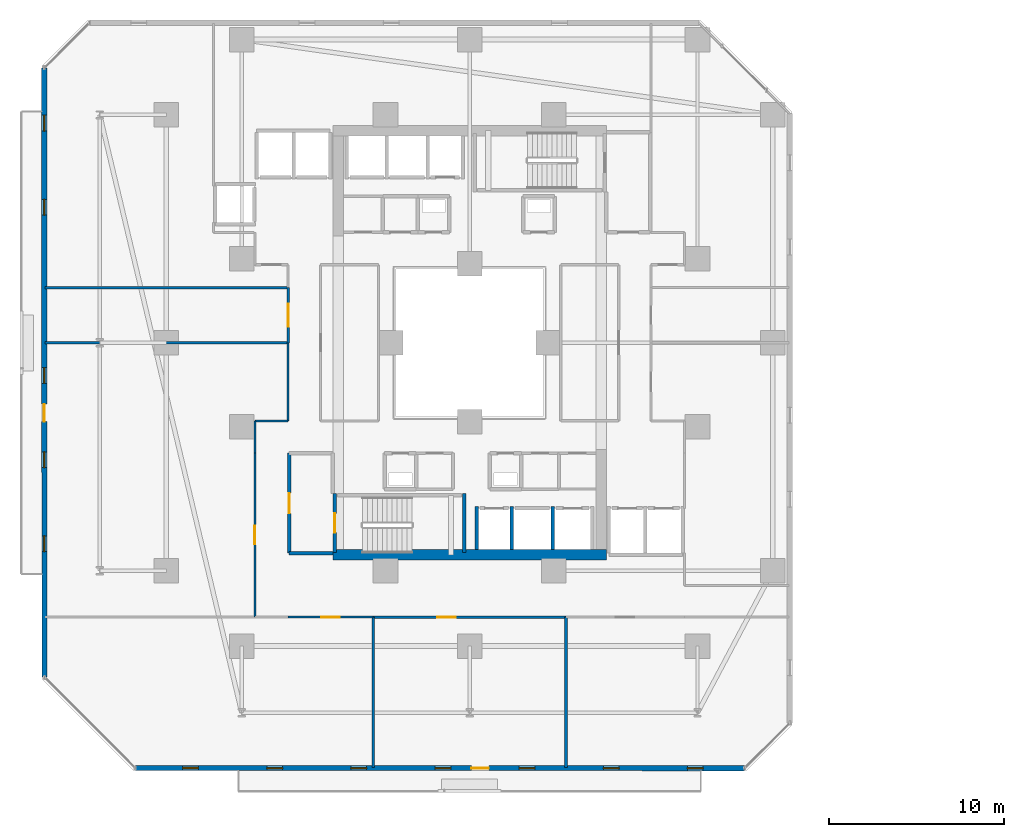
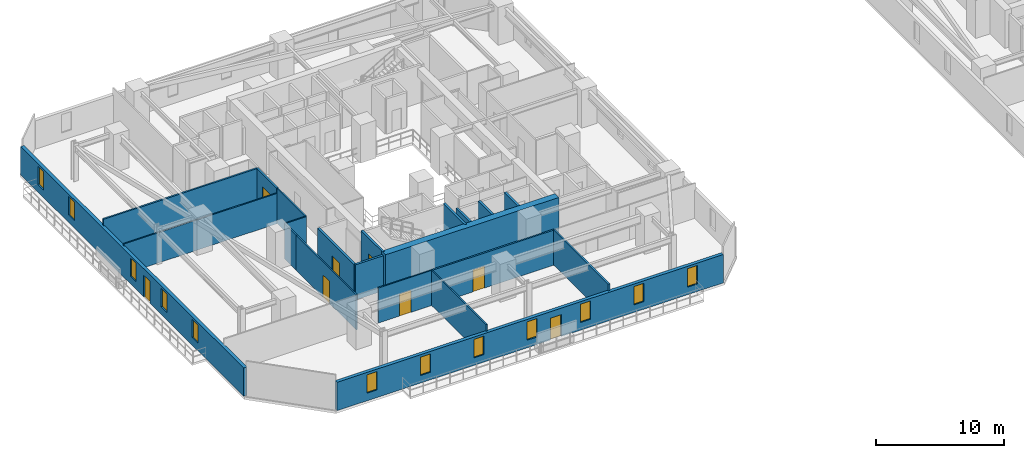
# One storey, part 18 of 33: 21 walls, 12 windows, 8 doors, 20 openings.
"""IFC4 building model written with IfcOpenShell, lengths in metres."""

from ifc_helpers import new_model, si_unit, direction, frame, frame_2d, origin, place, context, subcontext, project, spatial, rectangle, extrude, material, layer, layer_set, type_object, element, fill, save


model = new_model("IFC4")

# Units and contexts
model_context = context("Model", 3, precision=1e-05, world=origin(), true_north=direction((0.0, 1.0)))
body_context = subcontext(model_context, "Body", "Model", "MODEL_VIEW")
ifc_project = project(units=[si_unit("LENGTHUNIT", "METRE"), si_unit("AREAUNIT", "SQUARE_METRE"), si_unit("VOLUMEUNIT", "CUBIC_METRE"), si_unit("PLANEANGLEUNIT", "RADIAN"), si_unit("MASSUNIT", "GRAM", prefix="KILO")], contexts=[model_context])

# Site, building, storey
site_placement = place(None, origin())
site = spatial("IfcSite", under=ifc_project, at=site_placement, CompositionType="ELEMENT")
building_placement = place(site_placement, origin())
building = spatial("IfcBuilding", under=site, at=building_placement, Name="Thornwick Lancets Civic Towers", CompositionType="ELEMENT")
storey_placement = place(building_placement, frame((0.0, 0.0, 38.699951171875)))
storey = spatial("IfcBuildingStorey", under=building, at=storey_placement, Name="L09", CompositionType="ELEMENT", Elevation=38.699951171875)

# Walls
ifc_material_1 = material(Name="Concrete blockwork C40/50", Category="masonry")
ifc_layer_1 = layer(ifc_material_1, 0.199951171875, Name="Concrete blockwork C40/50")
ifc_layer_set_1 = layer_set([ifc_layer_1], Name="Concrete blockwork C40/50")
wall_type_1 = type_object("IfcWallType", Name="WALL_COMP_200", PredefinedType="STANDARD", material=ifc_layer_set_1)
for number, where, z_axis, x_axis, name in (
    (1, (27.89990234375, 15.2119140625, 0.0), (0.0, 0.0, 1.0), (0.0, 1.0, 0.0), "L09 Hoistway Shaft Wall FL-A1 E"),
    (2, (25.89990234375, 15.2119140625, 0.0), (0.0, 0.0, 1.0), (0.0, 1.0, 0.0), "L09 Hoistway Shaft Wall FL-A1 W"),
    (3, (30.25, 15.2119140625, 0.0), (0.0, 0.0, 1.0), (0.0, 1.0, 0.0), "L09 Hoistway Shaft Wall PL-AH1 E"),
):
    element("IfcWall", number, at=place(storey_placement, frame(where, z_axis=z_axis, x_axis=x_axis)), inside=storey, type_object=wall_type_1, Name=name, PredefinedType="STANDARD", context=body_context, shape_type="SweptSolid", body=[
        extrude(rectangle(XDim=2.43603515625, YDim=0.199951171875, at=frame_2d((1.218017578125, 0.0))), origin(), (0.0, 0.0, 1.0), 3.340087890625),
    ])
wall_1_placement = place(storey_placement, frame((15.199951171875, 15.0, 0.0), z_axis=(0.0, 0.0, 1.0), x_axis=(1.0, 0.0, 0.0)))
element("IfcWall", 4, at=wall_1_placement, inside=storey, type_object=wall_type_1, Name="L09 Partition L09-A-FFLOB1 E1", PredefinedType="STANDARD", context=body_context, shape_type="SweptSolid", body=[
    extrude(rectangle(XDim=2.5, YDim=0.199951171875, at=frame_2d((1.25, 0.0))), origin(), (0.0, 0.0, 1.0), 3.340087890625),
])

# Wall, opening, door
wall_2_placement = place(storey_placement, frame((15.199951171875, 20.699951171875, 0.0), z_axis=(0.0, 0.0, 1.0), x_axis=(0.0, -1.0, 0.0)))
wall_2 = element("IfcWall", 5, at=wall_2_placement, inside=storey, type_object=wall_type_1, Name="L09 Partition L09-A-FFLOB1 E4", PredefinedType="STANDARD", context=body_context, shape_type="SweptSolid", body=[
    extrude(rectangle(XDim=5.699951171875, YDim=0.199951171875, at=frame_2d((2.85009765625, 0.0))), origin(), (0.0, 0.0, 1.0), 3.340087890625),
])
opening_1_placement = place(wall_2_placement, frame((2.27490234375, 0.0, 0.0)))
opening_1 = element("IfcOpeningElement", 6, at=opening_1_placement, cuts=wall_2, Name="Opening D-L09-0439", PredefinedType="OPENING", context=body_context, shape_type="SweptSolid", body=[
    extrude(rectangle(XDim=1.14990234375, YDim=2.10009765625, at=frame_2d((0.574951171875, 1.050048828125))), frame((0.0, 0.10986328125, 0.0), z_axis=(0.0, -1.0, 0.0), x_axis=(1.0, 0.0, 0.0)), (0.0, 0.0, 1.0), 0.219970703125),
])
ifc_material_2 = material(Name="Glazed fire-resisting steel", Category="steel")
door_type_1 = type_object("IfcDoorType", Name="DOOR_LOBBY_FD60", OperationType="NOTDEFINED", PredefinedType="DOOR", material=ifc_material_2)
door_1_placement = place(opening_1_placement, origin())
door_1 = element("IfcDoor", 7, at=door_1_placement, inside=storey, type_object=door_type_1, Name="L09 South Firefighting Lobby 1 Door", OperationType="SINGLE_SWING_RIGHT", OverallHeight=2.10009765625, OverallWidth=1.14990234375, PredefinedType="DOOR", context=body_context, shape_type="SweptSolid", body=[
    extrude(rectangle(XDim=1.14990234375, YDim=2.10009765625, at=frame_2d((0.574951171875, 1.050048828125))), frame((0.0, 0.02490234375, 0.0), z_axis=(0.0, -1.0, 0.0), x_axis=(1.0, 0.0, 0.0)), (0.0, 0.0, 1.0), 0.050048828125),
])
fill(opening_1, door_1)

# Wall
ifc_material_3 = material(Name="Concrete C60/75", Category="concrete")
ifc_layer_2 = layer(ifc_material_3, 0.60009765625, Name="Concrete C60/75")
ifc_layer_set_2 = layer_set([ifc_layer_2], Name="Concrete C60/75")
wall_type_2 = type_object("IfcWallType", Name="WALL_CORE_600", PredefinedType="SHEAR", material=ifc_layer_set_2)
wall_3_placement = place(storey_placement, frame((17.699951171875, 14.89990234375, 0.0), z_axis=(0.0, 0.0, 1.0), x_axis=(1.0, 0.0, 0.0)))
element("IfcWall", 8, at=wall_3_placement, inside=storey, type_object=wall_type_2, Name="L09 Split Core A1 Shear Wall S", PredefinedType="SHEAR", context=body_context, shape_type="SweptSolid", body=[
    extrude(rectangle(XDim=15.60009765625, YDim=0.60009765625, at=frame_2d((7.800048828125, 0.0))), origin(), (0.0, 0.0, 1.0), 3.60009765625),
])

# Wall, openings, door, windows
ifc_material_4 = material(Name="Insulated russet terracotta rainscreen on concrete C40/50", Category="masonry")
ifc_layer_3 = layer(ifc_material_4, 0.300048828125, Name="Insulated russet terracotta rainscreen on concrete C40/50")
ifc_layer_set_3 = layer_set([ifc_layer_3], Name="Insulated russet terracotta rainscreen on concrete C40/50")
wall_type_3 = type_object("IfcWallType", Name="WALL_EXT_RUSSET_300", PredefinedType="STANDARD", material=ifc_layer_set_3)
wall_4_placement = place(storey_placement, frame((6.426513671875, 2.74365234375, 0.0), z_axis=(0.0, 0.0, 1.0), x_axis=(0.999999969775, -0.000245864205, 0.0)))
wall_4 = element("IfcWall", 9, at=wall_4_placement, inside=storey, type_object=wall_type_3, Name="L09 Tower A Terracotta Facade Wall E0", PredefinedType="STANDARD", context=body_context, shape_type="SweptSolid", body=[
    extrude(rectangle(XDim=34.754638671875, YDim=0.300048828125, at=frame_2d((17.37744140625, 0.0))), origin(), (0.0, 0.0, 1.0), 2.699951171875),
])
opening_2_placement = place(wall_4_placement, frame((19.17724609375, 0.0, 0.0)))
opening_2 = element("IfcOpeningElement", 10, at=opening_2_placement, cuts=wall_4, Name="Opening D-BL-L09-AS", PredefinedType="OPENING", context=body_context, shape_type="SweptSolid", body=[
    extrude(rectangle(XDim=1.0, YDim=2.080078125, at=frame_2d((0.5, 1.0400390625))), frame((0.0, 0.16015625, 0.0), z_axis=(0.0, -1.0, 0.0), x_axis=(1.0, 0.0, 0.0)), (0.0, 0.0, 1.0), 0.320068359375),
])
opening_3_placement = place(wall_4_placement, frame((2.699951171875, 0.0, 0.719970703125)))
opening_3 = element("IfcOpeningElement", 11, at=opening_3_placement, cuts=wall_4, Name="Opening WL-01", PredefinedType="OPENING", context=body_context, shape_type="SweptSolid", body=[
    extrude(rectangle(XDim=0.89990234375, YDim=1.75, at=frame_2d((0.449951171875, 0.875))), frame((0.0, 0.16015625, 0.0), z_axis=(0.0, -1.0, 0.0), x_axis=(1.0, 0.0, 0.0)), (0.0, 0.0, 1.0), 0.320068359375),
])
opening_4_placement = place(wall_4_placement, frame((7.5, 0.0, 0.719970703125)))
opening_4 = element("IfcOpeningElement", 12, at=opening_4_placement, cuts=wall_4, Name="Opening WL-01", PredefinedType="OPENING", context=body_context, shape_type="SweptSolid", body=[
    extrude(rectangle(XDim=0.89990234375, YDim=1.75, at=frame_2d((0.449951171875, 0.875))), frame((0.0, 0.16015625, 0.0), z_axis=(0.0, -1.0, 0.0), x_axis=(1.0, 0.0, 0.0)), (0.0, 0.0, 1.0), 0.320068359375),
])
opening_5_placement = place(wall_4_placement, frame((12.300048828125, 0.0, 0.719970703125)))
opening_5 = element("IfcOpeningElement", 13, at=opening_5_placement, cuts=wall_4, Name="Opening WL-01", PredefinedType="OPENING", context=body_context, shape_type="SweptSolid", body=[
    extrude(rectangle(XDim=0.89990234375, YDim=1.75, at=frame_2d((0.449951171875, 0.875))), frame((0.0, 0.16015625, 0.0), z_axis=(0.0, -1.0, 0.0), x_axis=(1.0, 0.0, 0.0)), (0.0, 0.0, 1.0), 0.320068359375),
])
opening_6_placement = place(wall_4_placement, frame((17.10009765625, 0.0, 0.719970703125)))
opening_6 = element("IfcOpeningElement", 14, at=opening_6_placement, cuts=wall_4, Name="Opening WL-01", PredefinedType="OPENING", context=body_context, shape_type="SweptSolid", body=[
    extrude(rectangle(XDim=0.89990234375, YDim=1.75, at=frame_2d((0.449951171875, 0.875))), frame((0.0, 0.16015625, 0.0), z_axis=(0.0, -1.0, 0.0), x_axis=(1.0, 0.0, 0.0)), (0.0, 0.0, 1.0), 0.320068359375),
])
opening_7_placement = place(wall_4_placement, frame((21.89990234375, 0.0, 0.719970703125)))
opening_7 = element("IfcOpeningElement", 15, at=opening_7_placement, cuts=wall_4, Name="Opening WL-01", PredefinedType="OPENING", context=body_context, shape_type="SweptSolid", body=[
    extrude(rectangle(XDim=0.89990234375, YDim=1.75, at=frame_2d((0.449951171875, 0.875))), frame((0.0, 0.16015625, 0.0), z_axis=(0.0, -1.0, 0.0), x_axis=(1.0, 0.0, 0.0)), (0.0, 0.0, 1.0), 0.320068359375),
])
opening_8_placement = place(wall_4_placement, frame((26.699951171875, 0.0, 0.719970703125)))
opening_8 = element("IfcOpeningElement", 16, at=opening_8_placement, cuts=wall_4, Name="Opening WL-01", PredefinedType="OPENING", context=body_context, shape_type="SweptSolid", body=[
    extrude(rectangle(XDim=0.89990234375, YDim=1.75, at=frame_2d((0.449951171875, 0.875))), frame((0.0, 0.16015625, 0.0), z_axis=(0.0, -1.0, 0.0), x_axis=(1.0, 0.0, 0.0)), (0.0, 0.0, 1.0), 0.320068359375),
])
opening_9_placement = place(wall_4_placement, frame((31.5, 0.0, 0.719970703125)))
opening_9 = element("IfcOpeningElement", 17, at=opening_9_placement, cuts=wall_4, Name="Opening WL-01", PredefinedType="OPENING", context=body_context, shape_type="SweptSolid", body=[
    extrude(rectangle(XDim=0.89990234375, YDim=1.75, at=frame_2d((0.449951171875, 0.875))), frame((0.0, 0.16015625, 0.0), z_axis=(0.0, -1.0, 0.0), x_axis=(1.0, 0.0, 0.0)), (0.0, 0.0, 1.0), 0.320068359375),
])
ifc_material_5 = material(Name="Thermally broken glazed loggia doorset")
door_type_2 = type_object("IfcDoorType", Name="DOOR_BALC_1000", OperationType="NOTDEFINED", PredefinedType="DOOR", material=ifc_material_5)
door_2_placement = place(opening_2_placement, origin())
door_2 = element("IfcDoor", 18, at=door_2_placement, inside=storey, type_object=door_type_2, Name="L09 Tower A Loggia Balcony Door S", OperationType="SINGLE_SWING_RIGHT", OverallHeight=2.080078125, OverallWidth=1.0, PredefinedType="DOOR", context=body_context, shape_type="SweptSolid", body=[
    extrude(rectangle(XDim=1.0, YDim=2.080078125, at=frame_2d((0.5, 1.0400390625))), frame((0.0, 0.02490234375, 0.0), z_axis=(0.0, -1.0, 0.0), x_axis=(1.0, 0.0, 0.0)), (0.0, 0.0, 1.0), 0.050048828125),
])
fill(opening_2, door_2)
ifc_material_6 = material(Name="Clear low-e double glazing in bronze frame", Category="glass")
window_type = type_object("IfcWindowType", Name="WIN_LANCET_900", PartitioningType="SINGLE_PANEL", PredefinedType="WINDOW", material=ifc_material_6)
window_1_placement = place(opening_3_placement, origin())
window_1 = element("IfcWindow", 19, at=window_1_placement, inside=storey, type_object=window_type, Name="L09 Tower A Staggered Lancet Window E0-1", OverallHeight=1.75, OverallWidth=0.89990234375, PartitioningType="SINGLE_PANEL", PredefinedType="WINDOW", context=body_context, shape_type="SweptSolid", body=[
    extrude(rectangle(XDim=0.89990234375, YDim=1.75, at=frame_2d((0.449951171875, 0.875))), frame((0.0, 0.030029296875, 0.0), z_axis=(0.0, -1.0, 0.0), x_axis=(1.0, 0.0, 0.0)), (0.0, 0.0, 1.0), 0.06005859375),
])
fill(opening_3, window_1)
window_2_placement = place(opening_4_placement, origin())
window_2 = element("IfcWindow", 20, at=window_2_placement, inside=storey, type_object=window_type, Name="L09 Tower A Staggered Lancet Window E0-2", OverallHeight=1.75, OverallWidth=0.89990234375, PartitioningType="SINGLE_PANEL", PredefinedType="WINDOW", context=body_context, shape_type="SweptSolid", body=[
    extrude(rectangle(XDim=0.89990234375, YDim=1.75, at=frame_2d((0.449951171875, 0.875))), frame((0.0, 0.030029296875, 0.0), z_axis=(0.0, -1.0, 0.0), x_axis=(1.0, 0.0, 0.0)), (0.0, 0.0, 1.0), 0.06005859375),
])
fill(opening_4, window_2)
window_3_placement = place(opening_5_placement, origin())
window_3 = element("IfcWindow", 21, at=window_3_placement, inside=storey, type_object=window_type, Name="L09 Tower A Staggered Lancet Window E0-3", OverallHeight=1.75, OverallWidth=0.89990234375, PartitioningType="SINGLE_PANEL", PredefinedType="WINDOW", context=body_context, shape_type="SweptSolid", body=[
    extrude(rectangle(XDim=0.89990234375, YDim=1.75, at=frame_2d((0.449951171875, 0.875))), frame((0.0, 0.030029296875, 0.0), z_axis=(0.0, -1.0, 0.0), x_axis=(1.0, 0.0, 0.0)), (0.0, 0.0, 1.0), 0.06005859375),
])
fill(opening_5, window_3)
window_4_placement = place(opening_6_placement, origin())
window_4 = element("IfcWindow", 22, at=window_4_placement, inside=storey, type_object=window_type, Name="L09 Tower A Staggered Lancet Window E0-4", OverallHeight=1.75, OverallWidth=0.89990234375, PartitioningType="SINGLE_PANEL", PredefinedType="WINDOW", context=body_context, shape_type="SweptSolid", body=[
    extrude(rectangle(XDim=0.89990234375, YDim=1.75, at=frame_2d((0.449951171875, 0.875))), frame((0.0, 0.030029296875, 0.0), z_axis=(0.0, -1.0, 0.0), x_axis=(1.0, 0.0, 0.0)), (0.0, 0.0, 1.0), 0.06005859375),
])
fill(opening_6, window_4)
window_5_placement = place(opening_7_placement, origin())
window_5 = element("IfcWindow", 23, at=window_5_placement, inside=storey, type_object=window_type, Name="L09 Tower A Staggered Lancet Window E0-5", OverallHeight=1.75, OverallWidth=0.89990234375, PartitioningType="SINGLE_PANEL", PredefinedType="WINDOW", context=body_context, shape_type="SweptSolid", body=[
    extrude(rectangle(XDim=0.89990234375, YDim=1.75, at=frame_2d((0.449951171875, 0.875))), frame((0.0, 0.030029296875, 0.0), z_axis=(0.0, -1.0, 0.0), x_axis=(1.0, 0.0, 0.0)), (0.0, 0.0, 1.0), 0.06005859375),
])
fill(opening_7, window_5)
window_6_placement = place(opening_8_placement, origin())
window_6 = element("IfcWindow", 24, at=window_6_placement, inside=storey, type_object=window_type, Name="L09 Tower A Staggered Lancet Window E0-6", OverallHeight=1.75, OverallWidth=0.89990234375, PartitioningType="SINGLE_PANEL", PredefinedType="WINDOW", context=body_context, shape_type="SweptSolid", body=[
    extrude(rectangle(XDim=0.89990234375, YDim=1.75, at=frame_2d((0.449951171875, 0.875))), frame((0.0, 0.030029296875, 0.0), z_axis=(0.0, -1.0, 0.0), x_axis=(1.0, 0.0, 0.0)), (0.0, 0.0, 1.0), 0.06005859375),
])
fill(opening_8, window_6)
window_7_placement = place(opening_9_placement, origin())
window_7 = element("IfcWindow", 25, at=window_7_placement, inside=storey, type_object=window_type, Name="L09 Tower A Staggered Lancet Window E0-7", OverallHeight=1.75, OverallWidth=0.89990234375, PartitioningType="SINGLE_PANEL", PredefinedType="WINDOW", context=body_context, shape_type="SweptSolid", body=[
    extrude(rectangle(XDim=0.89990234375, YDim=1.75, at=frame_2d((0.449951171875, 0.875))), frame((0.0, 0.030029296875, 0.0), z_axis=(0.0, -1.0, 0.0), x_axis=(1.0, 0.0, 0.0)), (0.0, 0.0, 1.0), 0.06005859375),
])
fill(opening_9, window_7)

wall_5_placement = place(storey_placement, frame((1.235107421875, 42.68115234375, 0.0), z_axis=(0.0, 0.0, 1.0), x_axis=(0.000245864205, -0.999999969775, 0.0)))
wall_5 = element("IfcWall", 26, at=wall_5_placement, inside=storey, type_object=wall_type_3, Name="L09 Tower A Terracotta Facade Wall E6", PredefinedType="STANDARD", context=body_context, shape_type="SweptSolid", body=[
    extrude(rectangle(XDim=34.754638671875, YDim=0.300048828125, at=frame_2d((17.37744140625, 0.0))), origin(), (0.0, 0.0, 1.0), 2.699951171875),
])
opening_10_placement = place(wall_5_placement, frame((19.17724609375, 0.0, 0.0)))
opening_10 = element("IfcOpeningElement", 27, at=opening_10_placement, cuts=wall_5, Name="Opening D-BL-L09-AW", PredefinedType="OPENING", context=body_context, shape_type="SweptSolid", body=[
    extrude(rectangle(XDim=1.0, YDim=2.080078125, at=frame_2d((0.5, 1.0400390625))), frame((0.0, 0.16015625, 0.0), z_axis=(0.0, -1.0, 0.0), x_axis=(1.0, 0.0, 0.0)), (0.0, 0.0, 1.0), 0.320068359375),
])
opening_11_placement = place(wall_5_placement, frame((2.699951171875, 0.0, 0.719970703125)))
opening_11 = element("IfcOpeningElement", 28, at=opening_11_placement, cuts=wall_5, Name="Opening WL-01", PredefinedType="OPENING", context=body_context, shape_type="SweptSolid", body=[
    extrude(rectangle(XDim=0.89990234375, YDim=1.75, at=frame_2d((0.449951171875, 0.875))), frame((0.0, 0.16015625, 0.0), z_axis=(0.0, -1.0, 0.0), x_axis=(1.0, 0.0, 0.0)), (0.0, 0.0, 1.0), 0.320068359375),
])
opening_12_placement = place(wall_5_placement, frame((7.5, 0.0, 0.719970703125)))
opening_12 = element("IfcOpeningElement", 29, at=opening_12_placement, cuts=wall_5, Name="Opening WL-01", PredefinedType="OPENING", context=body_context, shape_type="SweptSolid", body=[
    extrude(rectangle(XDim=0.89990234375, YDim=1.75, at=frame_2d((0.449951171875, 0.875))), frame((0.0, 0.16015625, 0.0), z_axis=(0.0, -1.0, 0.0), x_axis=(1.0, 0.0, 0.0)), (0.0, 0.0, 1.0), 0.320068359375),
])
opening_13_placement = place(wall_5_placement, frame((17.10009765625, 0.0, 0.719970703125)))
opening_13 = element("IfcOpeningElement", 30, at=opening_13_placement, cuts=wall_5, Name="Opening WL-01", PredefinedType="OPENING", context=body_context, shape_type="SweptSolid", body=[
    extrude(rectangle(XDim=0.89990234375, YDim=1.75, at=frame_2d((0.449951171875, 0.875))), frame((0.0, 0.16015625, 0.0), z_axis=(0.0, -1.0, 0.0), x_axis=(1.0, 0.0, 0.0)), (0.0, 0.0, 1.0), 0.320068359375),
])
opening_14_placement = place(wall_5_placement, frame((21.89990234375, 0.0, 0.719970703125)))
opening_14 = element("IfcOpeningElement", 31, at=opening_14_placement, cuts=wall_5, Name="Opening WL-01", PredefinedType="OPENING", context=body_context, shape_type="SweptSolid", body=[
    extrude(rectangle(XDim=0.89990234375, YDim=1.75, at=frame_2d((0.449951171875, 0.875))), frame((0.0, 0.16015625, 0.0), z_axis=(0.0, -1.0, 0.0), x_axis=(1.0, 0.0, 0.0)), (0.0, 0.0, 1.0), 0.320068359375),
])
opening_15_placement = place(wall_5_placement, frame((26.699951171875, 0.0, 0.719970703125)))
opening_15 = element("IfcOpeningElement", 32, at=opening_15_placement, cuts=wall_5, Name="Opening WL-01", PredefinedType="OPENING", context=body_context, shape_type="SweptSolid", body=[
    extrude(rectangle(XDim=0.89990234375, YDim=1.75, at=frame_2d((0.449951171875, 0.875))), frame((0.0, 0.16015625, 0.0), z_axis=(0.0, -1.0, 0.0), x_axis=(1.0, 0.0, 0.0)), (0.0, 0.0, 1.0), 0.320068359375),
])
door_3_placement = place(opening_10_placement, origin())
door_3 = element("IfcDoor", 33, at=door_3_placement, inside=storey, type_object=door_type_2, Name="L09 Tower A Loggia Balcony Door W", OperationType="SINGLE_SWING_RIGHT", OverallHeight=2.080078125, OverallWidth=1.0, PredefinedType="DOOR", context=body_context, shape_type="SweptSolid", body=[
    extrude(rectangle(XDim=1.0, YDim=2.080078125, at=frame_2d((0.5, 1.0400390625))), frame((0.0, 0.02490234375, 0.0), z_axis=(0.0, -1.0, 0.0), x_axis=(1.0, 0.0, 0.0)), (0.0, 0.0, 1.0), 0.050048828125),
])
fill(opening_10, door_3)
window_8_placement = place(opening_11_placement, origin())
window_8 = element("IfcWindow", 34, at=window_8_placement, inside=storey, type_object=window_type, Name="L09 Tower A Staggered Lancet Window E6-1", OverallHeight=1.75, OverallWidth=0.89990234375, PartitioningType="SINGLE_PANEL", PredefinedType="WINDOW", context=body_context, shape_type="SweptSolid", body=[
    extrude(rectangle(XDim=0.89990234375, YDim=1.75, at=frame_2d((0.449951171875, 0.875))), frame((0.0, 0.030029296875, 0.0), z_axis=(0.0, -1.0, 0.0), x_axis=(1.0, 0.0, 0.0)), (0.0, 0.0, 1.0), 0.06005859375),
])
fill(opening_11, window_8)
window_9_placement = place(opening_12_placement, origin())
window_9 = element("IfcWindow", 35, at=window_9_placement, inside=storey, type_object=window_type, Name="L09 Tower A Staggered Lancet Window E6-2", OverallHeight=1.75, OverallWidth=0.89990234375, PartitioningType="SINGLE_PANEL", PredefinedType="WINDOW", context=body_context, shape_type="SweptSolid", body=[
    extrude(rectangle(XDim=0.89990234375, YDim=1.75, at=frame_2d((0.449951171875, 0.875))), frame((0.0, 0.030029296875, 0.0), z_axis=(0.0, -1.0, 0.0), x_axis=(1.0, 0.0, 0.0)), (0.0, 0.0, 1.0), 0.06005859375),
])
fill(opening_12, window_9)
window_10_placement = place(opening_13_placement, origin())
window_10 = element("IfcWindow", 36, at=window_10_placement, inside=storey, type_object=window_type, Name="L09 Tower A Staggered Lancet Window E6-3", OverallHeight=1.75, OverallWidth=0.89990234375, PartitioningType="SINGLE_PANEL", PredefinedType="WINDOW", context=body_context, shape_type="SweptSolid", body=[
    extrude(rectangle(XDim=0.89990234375, YDim=1.75, at=frame_2d((0.449951171875, 0.875))), frame((0.0, 0.030029296875, 0.0), z_axis=(0.0, -1.0, 0.0), x_axis=(1.0, 0.0, 0.0)), (0.0, 0.0, 1.0), 0.06005859375),
])
fill(opening_13, window_10)
window_11_placement = place(opening_14_placement, origin())
window_11 = element("IfcWindow", 37, at=window_11_placement, inside=storey, type_object=window_type, Name="L09 Tower A Staggered Lancet Window E6-4", OverallHeight=1.75, OverallWidth=0.89990234375, PartitioningType="SINGLE_PANEL", PredefinedType="WINDOW", context=body_context, shape_type="SweptSolid", body=[
    extrude(rectangle(XDim=0.89990234375, YDim=1.75, at=frame_2d((0.449951171875, 0.875))), frame((0.0, 0.030029296875, 0.0), z_axis=(0.0, -1.0, 0.0), x_axis=(1.0, 0.0, 0.0)), (0.0, 0.0, 1.0), 0.06005859375),
])
fill(opening_14, window_11)
window_12_placement = place(opening_15_placement, origin())
window_12 = element("IfcWindow", 38, at=window_12_placement, inside=storey, type_object=window_type, Name="L09 Tower A Staggered Lancet Window E6-5", OverallHeight=1.75, OverallWidth=0.89990234375, PartitioningType="SINGLE_PANEL", PredefinedType="WINDOW", context=body_context, shape_type="SweptSolid", body=[
    extrude(rectangle(XDim=0.89990234375, YDim=1.75, at=frame_2d((0.449951171875, 0.875))), frame((0.0, 0.030029296875, 0.0), z_axis=(0.0, -1.0, 0.0), x_axis=(1.0, 0.0, 0.0)), (0.0, 0.0, 1.0), 0.06005859375),
])
fill(opening_15, window_12)

# Walls
ifc_material_7 = material(Name="Acoustic gypsum board partition")
ifc_layer_4 = layer(ifc_material_7, 0.1201171875, Name="Acoustic gypsum board partition")
ifc_layer_set_4 = layer_set([ifc_layer_4], Name="Acoustic gypsum board partition")
wall_type_4 = type_object("IfcWallType", Name="WALL_PART_120", PredefinedType="PARTITIONING", material=ifc_layer_set_4)
wall_6_placement = place(storey_placement, frame((15.14990234375, 22.550048828125, 0.0), z_axis=(0.0, 0.0, 1.0), x_axis=(-1.0, 0.0, 0.0)))
element("IfcWall", 39, at=wall_6_placement, inside=storey, type_object=wall_type_4, Name="L09 Partition L09-A-W1 E1", PredefinedType="PARTITIONING", context=body_context, shape_type="SweptSolid", body=[
    extrude(rectangle(XDim=1.89990234375, YDim=0.1201171875, at=frame_2d((0.949951171875, 0.0))), origin(), (0.0, 0.0, 1.0), 3.340087890625),
])
wall_7_placement = place(storey_placement, frame((13.25, 22.550048828125, 0.0), z_axis=(0.0, 0.0, 1.0), x_axis=(0.0, -1.0, 0.0)))
element("IfcWall", 40, at=wall_7_placement, inside=storey, type_object=wall_type_4, Name="L09 Partition L09-A-W1 E2", PredefinedType="PARTITIONING", context=body_context, shape_type="SweptSolid", body=[
    extrude(rectangle(XDim=1.85009765625, YDim=0.1201171875, at=frame_2d((0.925048828125, 0.0))), origin(), (0.0, 0.0, 1.0), 3.340087890625),
])

# Wall, opening, door
wall_8_placement = place(storey_placement, frame((13.25, 20.699951171875, 0.0), z_axis=(0.0, 0.0, 1.0), x_axis=(0.0, -1.0, 0.0)))
wall_8 = element("IfcWall", 41, at=wall_8_placement, inside=storey, type_object=wall_type_4, Name="L09 Partition L09-A-W1 E3", PredefinedType="PARTITIONING", context=body_context, shape_type="SweptSolid", body=[
    extrude(rectangle(XDim=9.349853515625, YDim=0.1201171875, at=frame_2d((4.6748046875, 0.0))), origin(), (0.0, 0.0, 1.0), 3.340087890625),
])
opening_16_placement = place(wall_8_placement, frame((4.14990234375, 0.0, 0.0)))
opening_16 = element("IfcOpeningElement", 42, at=opening_16_placement, cuts=wall_8, Name="Opening D-L09-0461", PredefinedType="OPENING", context=body_context, shape_type="SweptSolid", body=[
    extrude(rectangle(XDim=1.050048828125, YDim=2.10009765625, at=frame_2d((0.52490234375, 1.050048828125))), frame((0.0, 0.070068359375, 0.0), z_axis=(0.0, -1.0, 0.0), x_axis=(1.0, 0.0, 0.0)), (0.0, 0.0, 1.0), 0.14013671875),
])
ifc_material_8 = material(Name="Glazed European oak executive doorset")
door_type_3 = type_object("IfcDoorType", Name="DOOR_OFFICE_1050", OperationType="NOTDEFINED", PredefinedType="DOOR", material=ifc_material_8)
door_4_placement = place(opening_16_placement, origin())
door_4 = element("IfcDoor", 43, at=door_4_placement, inside=storey, type_object=door_type_3, Name="L09 Tower A Ministry Directorate Office W1 Door", OperationType="SINGLE_SWING_RIGHT", OverallHeight=2.10009765625, OverallWidth=1.050048828125, PredefinedType="DOOR", context=body_context, shape_type="SweptSolid", body=[
    extrude(rectangle(XDim=1.050048828125, YDim=2.10009765625, at=frame_2d((0.52490234375, 1.050048828125))), frame((0.0, 0.02490234375, 0.0), z_axis=(0.0, -1.0, 0.0), x_axis=(1.0, 0.0, 0.0)), (0.0, 0.0, 1.0), 0.050048828125),
])
fill(opening_16, door_4)

# Walls
wall_9_placement = place(storey_placement, frame((1.280029296875, 27.0, 0.0), z_axis=(0.0, 0.0, 1.0), x_axis=(1.0, 0.0, 0.0)))
element("IfcWall", 44, at=wall_9_placement, inside=storey, type_object=wall_type_4, Name="L09 Partition L09-A-W1 E6", PredefinedType="PARTITIONING", context=body_context, shape_type="SweptSolid", body=[
    extrude(rectangle(XDim=13.869873046875, YDim=0.1201171875, at=frame_2d((6.93505859375, 0.0))), origin(), (0.0, 0.0, 1.0), 2.881591796875),
])
wall_10_placement = place(storey_placement, frame((15.14990234375, 27.0, 0.0), z_axis=(0.0, 0.0, 1.0), x_axis=(0.0, -1.0, 0.0)))
element("IfcWall", 45, at=wall_10_placement, inside=storey, type_object=wall_type_4, Name="L09 Partition L09-A-W1 E7", PredefinedType="PARTITIONING", context=body_context, shape_type="SweptSolid", body=[
    extrude(rectangle(XDim=4.449951171875, YDim=0.1201171875, at=frame_2d((2.22509765625, 0.0))), origin(), (0.0, 0.0, 1.0), 3.340087890625),
])

# Wall, opening, door
wall_11_placement = place(storey_placement, frame((15.14990234375, 11.35009765625, 0.0), z_axis=(0.0, 0.0, 1.0), x_axis=(1.0, 0.0, 0.0)))
wall_11 = element("IfcWall", 46, at=wall_11_placement, inside=storey, type_object=wall_type_4, Name="L09 Partition L09-A-S-OFF1 E6", PredefinedType="PARTITIONING", context=body_context, shape_type="SweptSolid", body=[
    extrude(rectangle(XDim=4.85009765625, YDim=0.1201171875, at=frame_2d((2.425048828125, 0.0))), origin(), (0.0, 0.0, 1.0), 3.340087890625),
])
opening_17_placement = place(wall_11_placement, frame((1.89990234375, 0.0, 0.0)))
opening_17 = element("IfcOpeningElement", 47, at=opening_17_placement, cuts=wall_11, Name="Opening D-L09-0469", PredefinedType="OPENING", context=body_context, shape_type="SweptSolid", body=[
    extrude(rectangle(XDim=1.050048828125, YDim=2.10009765625, at=frame_2d((0.52490234375, 1.050048828125))), frame((0.0, 0.070068359375, 0.0), z_axis=(0.0, -1.0, 0.0), x_axis=(1.0, 0.0, 0.0)), (0.0, 0.0, 1.0), 0.14013671875),
])
door_5_placement = place(opening_17_placement, origin())
door_5 = element("IfcDoor", 48, at=door_5_placement, inside=storey, type_object=door_type_3, Name="L09 Tower A South-West Division Office Door", OperationType="SINGLE_SWING_RIGHT", OverallHeight=2.10009765625, OverallWidth=1.050048828125, PredefinedType="DOOR", context=body_context, shape_type="SweptSolid", body=[
    extrude(rectangle(XDim=1.050048828125, YDim=2.10009765625, at=frame_2d((0.52490234375, 1.050048828125))), frame((0.0, 0.02490234375, 0.0), z_axis=(0.0, -1.0, 0.0), x_axis=(1.0, 0.0, 0.0)), (0.0, 0.0, 1.0), 0.050048828125),
])
fill(opening_17, door_5)

# Walls
wall_12_placement = place(storey_placement, frame((20.0, 11.35009765625, 0.0), z_axis=(0.0, 0.0, 1.0), x_axis=(0.0, -1.0, 0.0)))
element("IfcWall", 49, at=wall_12_placement, inside=storey, type_object=wall_type_4, Name="L09 Partition L09-A-S-OFF1 E7", PredefinedType="PARTITIONING", context=body_context, shape_type="SweptSolid", body=[
    extrude(rectangle(XDim=8.570068359375, YDim=0.1201171875, at=frame_2d((4.28515625, 0.0))), origin(), (0.0, 0.0, 1.0), 3.340087890625),
])
ifc_material_9 = material(Name="Twin-stud acoustic gypsum board")
ifc_layer_5 = layer(ifc_material_9, 0.14990234375, Name="Twin-stud acoustic gypsum board")
ifc_layer_set_5 = layer_set([ifc_layer_5], Name="Twin-stud acoustic gypsum board")
wall_type_5 = type_object("IfcWallType", Name="WALL_PART_150", PredefinedType="PARTITIONING", material=ifc_layer_set_5)
wall_13_placement = place(storey_placement, frame((1.280029296875, 30.14990234375, 0.0), z_axis=(0.0, 0.0, 1.0), x_axis=(1.0, 0.0, 0.0)))
element("IfcWall", 50, at=wall_13_placement, inside=storey, type_object=wall_type_5, Name="L09 Partition L09-A-W2 E3", PredefinedType="PARTITIONING", context=body_context, shape_type="SweptSolid", body=[
    extrude(rectangle(XDim=13.869873046875, YDim=0.14990234375, at=frame_2d((6.93505859375, 0.0))), origin(), (0.0, 0.0, 1.0), 3.340087890625),
])

# Wall, opening, door
wall_14_placement = place(storey_placement, frame((15.14990234375, 30.14990234375, 0.0), z_axis=(0.0, 0.0, 1.0), x_axis=(0.0, -1.0, 0.0)))
wall_14 = element("IfcWall", 51, at=wall_14_placement, inside=storey, type_object=wall_type_5, Name="L09 Partition L09-A-W2 E4", PredefinedType="PARTITIONING", context=body_context, shape_type="SweptSolid", body=[
    extrude(rectangle(XDim=3.14990234375, YDim=0.14990234375, at=frame_2d((1.574951171875, 0.0))), origin(), (0.0, 0.0, 1.0), 3.340087890625),
])
opening_18_placement = place(wall_14_placement, frame((0.925048828125, 0.0, 0.0)))
opening_18 = element("IfcOpeningElement", 52, at=opening_18_placement, cuts=wall_14, Name="Opening D-L09-0462", PredefinedType="OPENING", context=body_context, shape_type="SweptSolid", body=[
    extrude(rectangle(XDim=1.300048828125, YDim=2.1201171875, at=frame_2d((0.64990234375, 1.06005859375))), frame((0.0, 0.0849609375, 0.0), z_axis=(0.0, -1.0, 0.0), x_axis=(1.0, 0.0, 0.0)), (0.0, 0.0, 1.0), 0.169921875),
])
ifc_material_10 = material(Name="Acoustic oak leaf-and-a-half doorset")
door_type_4 = type_object("IfcDoorType", Name="DOOR_MEET_1300", OperationType="DOUBLE_DOOR_SINGLE_SWING", PredefinedType="DOOR", material=ifc_material_10)
door_6_placement = place(opening_18_placement, origin())
door_6 = element("IfcDoor", 53, at=door_6_placement, inside=storey, type_object=door_type_4, Name="L09 Tower A Policy Briefing Room W2 Door", OperationType="DOUBLE_DOOR_SINGLE_SWING", OverallHeight=2.1201171875, OverallWidth=1.300048828125, PredefinedType="DOOR", context=body_context, shape_type="SweptSolid", body=[
    extrude(rectangle(XDim=1.300048828125, YDim=2.1201171875, at=frame_2d((0.64990234375, 1.06005859375))), frame((0.0, 0.02490234375, 0.0), z_axis=(0.0, -1.0, 0.0), x_axis=(1.0, 0.0, 0.0)), (0.0, 0.0, 1.0), 0.050048828125),
])
fill(opening_18, door_6)

# Wall
wall_15_placement = place(storey_placement, frame((31.0, 11.35009765625, 0.0), z_axis=(0.0, 0.0, 1.0), x_axis=(0.0, -1.0, 0.0)))
element("IfcWall", 54, at=wall_15_placement, inside=storey, type_object=wall_type_5, Name="L09 Partition L09-A-S-ARCH E1", PredefinedType="PARTITIONING", context=body_context, shape_type="SweptSolid", body=[
    extrude(rectangle(XDim=8.570068359375, YDim=0.14990234375, at=frame_2d((4.28515625, 0.0))), origin(), (0.0, 0.0, 1.0), 3.340087890625),
])

# Wall, opening, door
wall_16_placement = place(storey_placement, frame((20.0, 11.35009765625, 0.0), z_axis=(0.0, 0.0, 1.0), x_axis=(1.0, 0.0, 0.0)))
wall_16 = element("IfcWall", 55, at=wall_16_placement, inside=storey, type_object=wall_type_5, Name="L09 Partition L09-A-S-ARCH E4", PredefinedType="PARTITIONING", context=body_context, shape_type="SweptSolid", body=[
    extrude(rectangle(XDim=11.0, YDim=0.14990234375, at=frame_2d((5.5, 0.0))), origin(), (0.0, 0.0, 1.0), 3.340087890625),
])
opening_19_placement = place(wall_16_placement, frame((3.655029296875, 0.0, 0.0)))
opening_19 = element("IfcOpeningElement", 56, at=opening_19_placement, cuts=wall_16, Name="Opening D-L09-0470", PredefinedType="OPENING", context=body_context, shape_type="SweptSolid", body=[
    extrude(rectangle(XDim=1.050048828125, YDim=2.10009765625, at=frame_2d((0.52490234375, 1.050048828125))), frame((0.0, 0.0849609375, 0.0), z_axis=(0.0, -1.0, 0.0), x_axis=(1.0, 0.0, 0.0)), (0.0, 0.0, 1.0), 0.169921875),
])
door_7_placement = place(opening_19_placement, origin())
door_7 = element("IfcDoor", 57, at=door_7_placement, inside=storey, type_object=door_type_3, Name="L09 Tower A Registry and Records Archive Door", OperationType="SINGLE_SWING_LEFT", OverallHeight=2.10009765625, OverallWidth=1.050048828125, PredefinedType="DOOR", context=body_context, shape_type="SweptSolid", body=[
    extrude(rectangle(XDim=1.050048828125, YDim=2.10009765625, at=frame_2d((0.52490234375, 1.050048828125))), frame((0.0, 0.02490234375, 0.0), z_axis=(0.0, -1.0, 0.0), x_axis=(1.0, 0.0, 0.0)), (0.0, 0.0, 1.0), 0.050048828125),
])
fill(opening_19, door_7)

ifc_material_11 = material(Name="Concrete C40/50", Category="concrete")
ifc_layer_6 = layer(ifc_material_11, 0.199951171875, Name="Concrete C40/50")
ifc_layer_set_6 = layer_set([ifc_layer_6], Name="Concrete C40/50")
wall_type_6 = type_object("IfcWallType", Name="WALL_SHAFT_200", PredefinedType="SHEAR", material=ifc_layer_set_6)
wall_17_placement = place(storey_placement, frame((17.800048828125, 15.050048828125, 0.0), z_axis=(0.0, 0.0, 1.0), x_axis=(0.0, 1.0, 0.0)))
wall_17 = element("IfcWall", 58, at=wall_17_placement, inside=storey, type_object=wall_type_6, Name="L09 ST-A1 Fire Stair Core Wall NEAR", PredefinedType="SHEAR", context=body_context, shape_type="SweptSolid", body=[
    extrude(rectangle(XDim=3.349853515625, YDim=0.199951171875, at=frame_2d((1.6748046875, 0.0))), origin(), (0.0, 0.0, 1.0), 3.60009765625),
])
opening_20_placement = place(wall_17_placement, frame((1.125, 0.0, 0.0)))
opening_20 = element("IfcOpeningElement", 59, at=opening_20_placement, cuts=wall_17, Name="Opening D-ST-A1-L09", PredefinedType="OPENING", context=body_context, shape_type="SweptSolid", body=[
    extrude(rectangle(XDim=1.10009765625, YDim=2.10009765625, at=frame_2d((0.550048828125, 1.050048828125))), frame((0.0, 0.10986328125, 0.0), z_axis=(0.0, -1.0, 0.0), x_axis=(1.0, 0.0, 0.0)), (0.0, 0.0, 1.0), 0.219970703125),
])
ifc_material_12 = material(Name="Fire-resisting steel and hardwood", Category="steel")
door_type_5 = type_object("IfcDoorType", Name="DOOR_STAIR_FD60", OperationType="NOTDEFINED", PredefinedType="DOOR", material=ifc_material_12)
door_8_placement = place(opening_20_placement, origin())
door_8 = element("IfcDoor", 60, at=door_8_placement, inside=storey, type_object=door_type_5, Name="L09 ST-A1 Exit Stair Door", OperationType="SINGLE_SWING_RIGHT", OverallHeight=2.10009765625, OverallWidth=1.10009765625, PredefinedType="DOOR", context=body_context, shape_type="SweptSolid", body=[
    extrude(rectangle(XDim=1.10009765625, YDim=2.10009765625, at=frame_2d((0.550048828125, 1.050048828125))), frame((0.0, 0.02490234375, 0.0), z_axis=(0.0, -1.0, 0.0), x_axis=(1.0, 0.0, 0.0)), (0.0, 0.0, 1.0), 0.050048828125),
])
fill(opening_20, door_8)

# Wall
wall_18_placement = place(storey_placement, frame((25.199951171875, 18.39990234375, 0.0), z_axis=(0.0, 0.0, 1.0), x_axis=(0.0, -1.0, 0.0)))
element("IfcWall", 61, at=wall_18_placement, inside=storey, type_object=wall_type_6, Name="L09 ST-A1 Fire Stair Core Wall FAR", PredefinedType="SHEAR", context=body_context, shape_type="SweptSolid", body=[
    extrude(rectangle(XDim=3.349853515625, YDim=0.199951171875, at=frame_2d((1.6748046875, 0.0))), origin(), (0.0, 0.0, 1.0), 3.60009765625),
])

save(model, "model.ifc")
